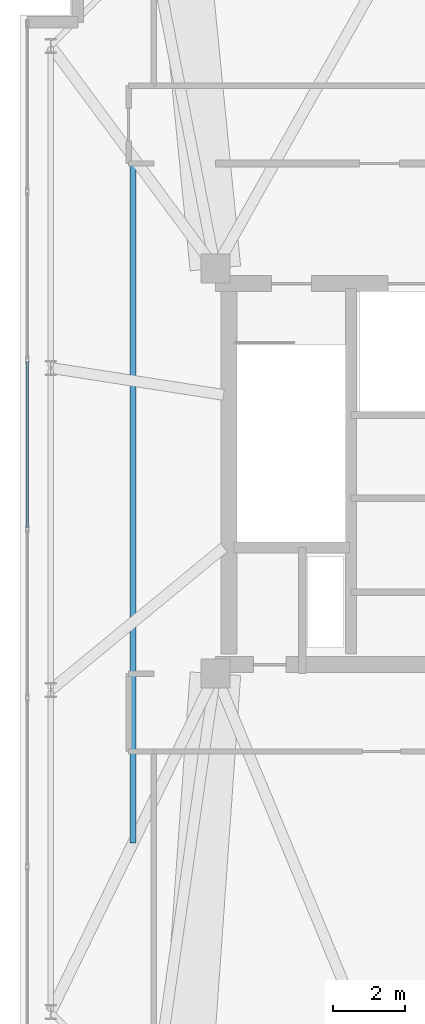
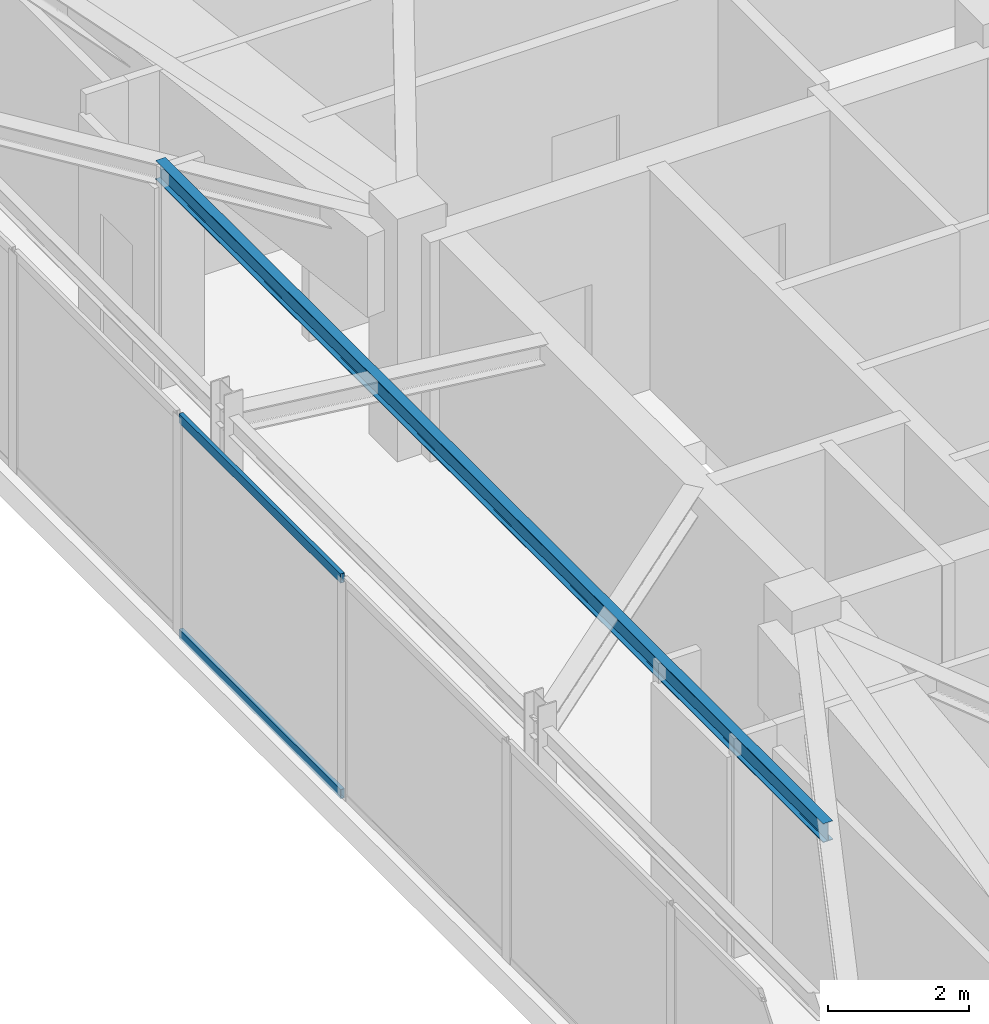
# One storey, part 11 of 27: 2 members, 1 beam, 1 element without a shape of its own.
"""IFC4 building model written with IfcOpenShell, lengths in metres."""

from ifc_helpers import new_model, si_unit, direction, frame, origin, origin_2d, place, context, subcontext, project, spatial, hollow_rectangle, i_section, extrude, material, layer, layer_set, material_profile, profile_set, type_object, element, aggregate, save


model = new_model("IFC4")

# Units and contexts
model_context = context("Model", 3, precision=1e-05, world=origin(), true_north=direction((0.0, 1.0)))
body_context = subcontext(model_context, "Body", "Model", "MODEL_VIEW")
ifc_project = project(units=[si_unit("LENGTHUNIT", "METRE"), si_unit("AREAUNIT", "SQUARE_METRE"), si_unit("VOLUMEUNIT", "CUBIC_METRE"), si_unit("PLANEANGLEUNIT", "RADIAN"), si_unit("MASSUNIT", "GRAM", prefix="KILO")], contexts=[model_context])

# Site, building, storey
site_placement = place(None, origin())
site = spatial("IfcSite", under=ifc_project, at=site_placement, CompositionType="ELEMENT")
building_placement = place(site_placement, origin())
building = spatial("IfcBuilding", under=site, at=building_placement, Name="Qobustan Lattice House", CompositionType="ELEMENT")
storey_placement = place(building_placement, frame((0.0, 0.0, 266.0)))
storey = spatial("IfcBuildingStorey", under=building, at=storey_placement, Name="L75", CompositionType="ELEMENT", Elevation=266.0)

# Beam
ifc_material_1 = material(Name="Steel S355", Category="steel")
ifc_material_profile_1 = material_profile(ifc_material_1, i_section(OverallWidth=0.159912109375, OverallDepth=0.330078125, WebThickness=0.007568359375, FlangeThickness=0.011474609375, FilletRadius=0.01806640625, at=origin_2d()), Name="IPE330")
ifc_profile_set_1 = profile_set([ifc_material_profile_1], Name="Steel S355")
beam_type = type_object("IfcBeamType", Name="BM-SEC-IPE330", PredefinedType="BEAM", material=ifc_profile_set_1)
beam_placement = place(storey_placement, frame((-21.074951171875, 8.675048828125, 3.635009765625), z_axis=(0.0, -1.0, 0.0), x_axis=(1.0, 0.0, 0.0)))
element("IfcBeam", 1, at=beam_placement, inside=storey, type_object=beam_type, Name="L75 west wing secondary beam", PredefinedType="BEAM", context=body_context, shape_type="SweptSolid", body=[
    extrude(i_section(OverallWidth=0.159912109375, OverallDepth=0.330078125, WebThickness=0.007568359375, FlangeThickness=0.011474609375, FilletRadius=0.01806640625, at=origin_2d()), origin(), (0.0, 0.0, 1.0), 18.949951171875),
])

# Curtain wall, members
ifc_material_2 = material(Name="Anodised aluminium and low-E glazing", Category="aluminium")
ifc_layer = layer(ifc_material_2, 0.219970703125)
ifc_layer_set = layer_set([ifc_layer], Name="Anodised aluminium and low-E glazing")
curtain_wall_type = type_object("IfcCurtainWallType", Name="CW-OBS-01", PredefinedType="USERDEFINED", material=ifc_layer_set)
curtain_wall_placement = place(storey_placement, origin())
curtain_wall = element("IfcCurtainWall", 2, at=curtain_wall_placement, inside=storey, type_object=curtain_wall_type, Name="L75 W panoramic observation curtain wall", ObjectType="CURTAIN WALL", PredefinedType="USERDEFINED")
ifc_material_3 = material(Name="Anodised aluminium EN AW-6063 T6", Category="aluminium")
ifc_material_profile_2 = material_profile(ifc_material_3, hollow_rectangle(XDim=0.06494140625, YDim=0.159912109375, WallThickness=0.00390625, at=origin_2d()), Name="CWT-160x65")
ifc_profile_set_2 = profile_set([ifc_material_profile_2], Name="Anodised aluminium EN AW-6063 T6")
member_type = type_object("IfcMemberType", Name="CWT-HOR-160", PredefinedType="USERDEFINED", material=ifc_profile_set_2)
member_1_placement = place(storey_placement, frame((-24.0, -1.56005859375, 0.032470703125), z_axis=(0.0, 1.0, 0.0), x_axis=(-1.0, 0.0, 0.0)))
member_1 = element("IfcMember", 3, at=member_1_placement, type_object=member_type, Name="CW-OB transom 4.1", ObjectType="TRANSOM", PredefinedType="USERDEFINED", context=body_context, shape_type="SweptSolid", body=[
    extrude(hollow_rectangle(XDim=0.06494140625, YDim=0.159912109375, WallThickness=0.00390625, at=origin_2d()), origin(), (0.0, 0.0, 1.0), 4.586669921875),
])
member_2_placement = place(storey_placement, frame((-24.0, -1.56005859375, 3.767578125), z_axis=(0.0, 1.0, 0.0), x_axis=(-1.0, 0.0, 0.0)))
member_2 = element("IfcMember", 4, at=member_2_placement, type_object=member_type, Name="CW-OB transom 4.2", ObjectType="TRANSOM", PredefinedType="USERDEFINED", context=body_context, shape_type="SweptSolid", body=[
    extrude(hollow_rectangle(XDim=0.06494140625, YDim=0.159912109375, WallThickness=0.00390625, at=origin_2d()), origin(), (0.0, 0.0, 1.0), 4.586669921875),
])
aggregate(curtain_wall, [member_1, member_2])

save(model, "model.ifc")
